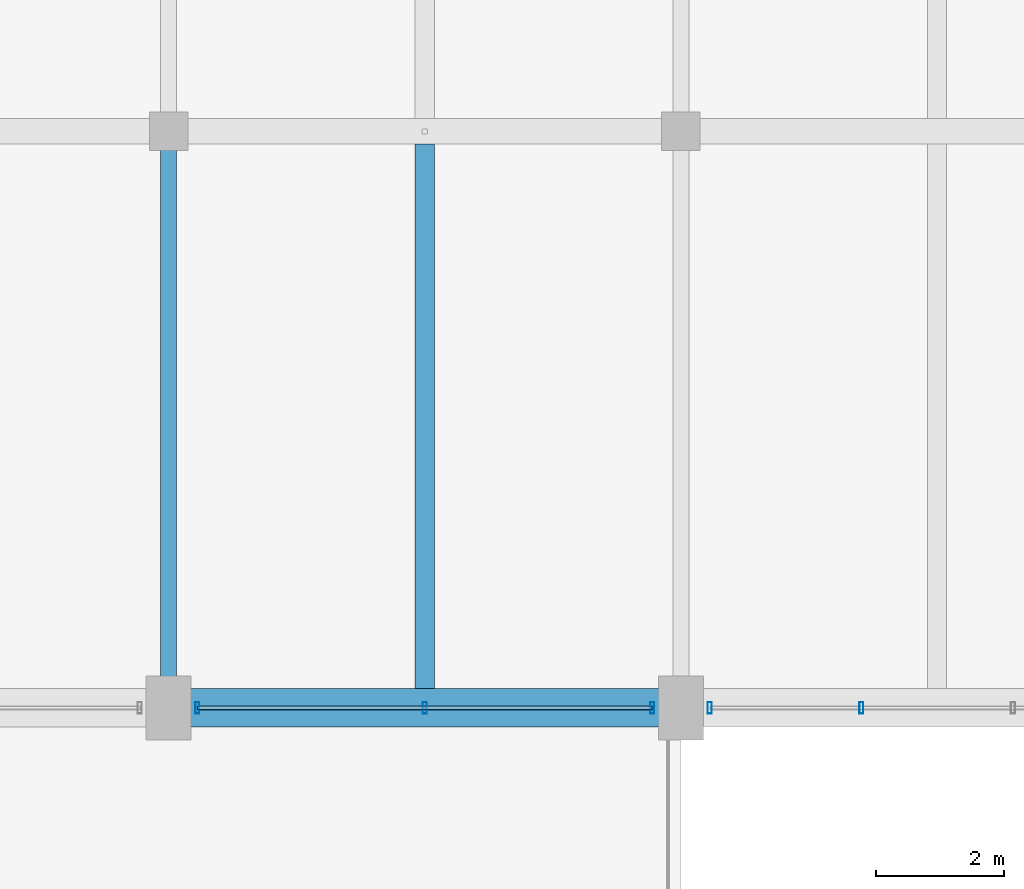
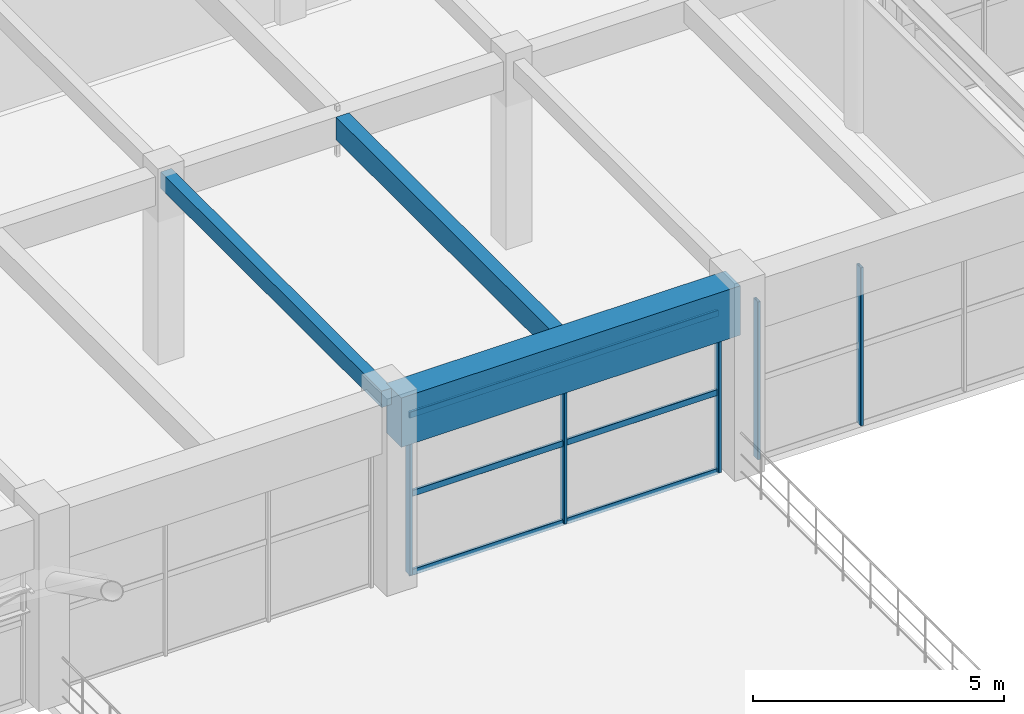
# One storey, part 41 of 144: 8 members, 3 beams, 2 elements without a shape of their own.
"""IFC4 building model written with IfcOpenShell, lengths in metres."""

from ifc_helpers import new_model, si_unit, direction, frame, origin, origin_2d, place, context, subcontext, project, spatial, rectangle, hollow_rectangle, extrude, material, material_profile, profile_set, type_object, element, aggregate, save


model = new_model("IFC4")

# Units and contexts
model_context = context("Model", 3, precision=1e-05, world=origin(), true_north=direction((0.0, 1.0)))
body_context = subcontext(model_context, "Body", "Model", "MODEL_VIEW")
ifc_project = project(units=[si_unit("LENGTHUNIT", "METRE"), si_unit("AREAUNIT", "SQUARE_METRE"), si_unit("VOLUMEUNIT", "CUBIC_METRE"), si_unit("PLANEANGLEUNIT", "RADIAN"), si_unit("MASSUNIT", "GRAM", prefix="KILO")], contexts=[model_context])

# Site, building, storey
site_placement = place(None, origin())
site = spatial("IfcSite", under=ifc_project, at=site_placement, CompositionType="ELEMENT")
building_placement = place(site_placement, origin())
building = spatial("IfcBuilding", under=site, at=building_placement, Name="Varnabhumi Central Station", CompositionType="ELEMENT")
storey_placement = place(building_placement, frame((0.0, 0.0, 4.800048828125)))
storey = spatial("IfcBuildingStorey", under=building, at=storey_placement, Name="L01", CompositionType="ELEMENT", Elevation=4.800048828125)

# Beams
ifc_material_1 = material(Name="Concrete M50", Category="concrete")
ifc_material_profile_1 = material_profile(ifc_material_1, rectangle(XDim=0.60009765625, YDim=1.199951171875, at=origin_2d()), Name="Concrete M50", Category="concrete")
ifc_profile_set_1 = profile_set([ifc_material_profile_1], Name="Concrete M50")
beam_type_1 = type_object("IfcBeamType", Name="BM-RC-1200x600", PredefinedType="BEAM", material=ifc_profile_set_1)
beam_1_placement = place(storey_placement, frame((32.10009765625, 80.0, 3.949951171875), z_axis=(1.0, 0.0, 0.0), x_axis=(0.0, 1.0, 0.0)))
element("IfcBeam", 1, at=beam_1_placement, inside=storey, type_object=beam_type_1, Name="Beam L01-K:5-6", PredefinedType="BEAM", context=body_context, shape_type="SweptSolid", body=[
    extrude(rectangle(XDim=0.60009765625, YDim=1.199951171875, at=origin_2d()), origin(), (0.0, 0.0, 1.0), 7.7998046875),
])
ifc_material_2 = material(Name="Concrete M35", Category="concrete")
ifc_material_profile_2 = material_profile(ifc_material_2, rectangle(XDim=0.25, YDim=0.39990234375, at=origin_2d()), Name="Concrete M35", Category="concrete")
ifc_profile_set_2 = profile_set([ifc_material_profile_2], Name="Concrete M35")
beam_type_2 = type_object("IfcBeamType", Name="BM-RC-250x400", PredefinedType="LINTEL", material=ifc_profile_set_2)
beam_2_placement = place(storey_placement, frame((32.0, 80.10009765625, 4.349853515625), z_axis=(0.0, 1.0, 0.0), x_axis=(-1.0, 0.0, 0.0)))
element("IfcBeam", 2, at=beam_2_placement, inside=storey, type_object=beam_type_2, Name="Beam L01-5:K-L", PredefinedType="LINTEL", context=body_context, shape_type="SweptSolid", body=[
    extrude(rectangle(XDim=0.25, YDim=0.39990234375, at=origin_2d()), origin(), (0.0, 0.0, 1.0), 8.7998046875),
])
ifc_material_3 = material(Name="Concrete M40", Category="concrete")
ifc_material_profile_3 = material_profile(ifc_material_3, rectangle(XDim=0.300048828125, YDim=0.550048828125, at=origin_2d()), Name="Concrete M40", Category="concrete")
ifc_profile_set_3 = profile_set([ifc_material_profile_3], Name="Concrete M40")
beam_type_3 = type_object("IfcBeamType", Name="BM-RC-300x550", PredefinedType="JOIST", material=ifc_profile_set_3)
beam_3_placement = place(storey_placement, frame((36.0, 80.300048828125, 4.27490234375), z_axis=(0.0, 1.0, 0.0), x_axis=(-1.0, 0.0, 0.0)))
element("IfcBeam", 3, at=beam_3_placement, inside=storey, type_object=beam_type_3, Name="Secondary Joist L01-5/6:K-L", PredefinedType="JOIST", context=body_context, shape_type="SweptSolid", body=[
    extrude(rectangle(XDim=0.300048828125, YDim=0.550048828125, at=origin_2d()), origin(), (0.0, 0.0, 1.0), 8.5),
])

# Curtain wall, members
ifc_material_4 = material(Name="Anodised aluminium 6063-T6", Category="aluminium")
curtain_wall_type_1 = type_object("IfcCurtainWallType", Name="CW-SPINE-SCREEN-L0", PredefinedType="NOTDEFINED", material=ifc_material_4)
curtain_wall_1_placement = place(storey_placement, origin())
curtain_wall_1 = element("IfcCurtainWall", 4, at=curtain_wall_1_placement, inside=storey, type_object=curtain_wall_type_1, Name="Curtain Wall CW-NS104", PredefinedType="NOTDEFINED")
ifc_material_profile_4 = material_profile(ifc_material_4, hollow_rectangle(XDim=0.06494140625, YDim=0.179931640625, WallThickness=0.00390625, InnerFilletRadius=0.001953125, OuterFilletRadius=0.006103515625, at=origin_2d()), Name="Anodised aluminium 6063-T6", Category="aluminium")
ifc_profile_set_4 = profile_set([ifc_material_profile_4], Name="Anodised aluminium 6063-T6")
member_type_1 = type_object("IfcMemberType", Name="CW-MUL-180", PredefinedType="MULLION", material=ifc_profile_set_4)
member_1_placement = place(storey_placement, frame((32.449951171875, 80.0, 0.0), z_axis=(0.0, 0.0, 1.0), x_axis=(1.0, 0.0, 0.0)))
member_1 = element("IfcMember", 5, at=member_1_placement, type_object=member_type_1, Name="Curtain Wall Mullion CW-NS104-M1", PredefinedType="MULLION", context=body_context, shape_type="SweptSolid", body=[
    extrude(hollow_rectangle(XDim=0.06494140625, YDim=0.179931640625, WallThickness=0.00390625, InnerFilletRadius=0.001953125, OuterFilletRadius=0.006103515625, at=origin_2d()), origin(), (0.0, 0.0, 1.0), 3.83984375),
])
member_2_placement = place(storey_placement, frame((36.0, 80.0, 0.0), z_axis=(0.0, 0.0, 1.0), x_axis=(1.0, 0.0, 0.0)))
member_2 = element("IfcMember", 6, at=member_2_placement, type_object=member_type_1, Name="Curtain Wall Mullion CW-NS104-M2", PredefinedType="MULLION", context=body_context, shape_type="SweptSolid", body=[
    extrude(hollow_rectangle(XDim=0.06494140625, YDim=0.179931640625, WallThickness=0.00390625, InnerFilletRadius=0.001953125, OuterFilletRadius=0.006103515625, at=origin_2d()), origin(), (0.0, 0.0, 1.0), 3.83984375),
])
member_3_placement = place(storey_placement, frame((39.550048828125, 80.0, 0.0), z_axis=(0.0, 0.0, 1.0), x_axis=(1.0, 0.0, 0.0)))
member_3 = element("IfcMember", 7, at=member_3_placement, type_object=member_type_1, Name="Curtain Wall Mullion CW-NS104-M3", PredefinedType="MULLION", context=body_context, shape_type="SweptSolid", body=[
    extrude(hollow_rectangle(XDim=0.06494140625, YDim=0.179931640625, WallThickness=0.00390625, InnerFilletRadius=0.001953125, OuterFilletRadius=0.006103515625, at=origin_2d()), origin(), (0.0, 0.0, 1.0), 3.83984375),
])

curtain_wall_type_2 = type_object("IfcCurtainWallType", Name="CW-STREET-PORTAL", PredefinedType="NOTDEFINED", material=ifc_material_4)
curtain_wall_2_placement = place(storey_placement, origin())
curtain_wall_2 = element("IfcCurtainWall", 8, at=curtain_wall_2_placement, inside=storey, type_object=curtain_wall_type_2, Name="Curtain Wall CW-NSP105", PredefinedType="NOTDEFINED")
member_4_placement = place(storey_placement, frame((40.449951171875, 80.0, 0.0), z_axis=(0.0, 0.0, 1.0), x_axis=(1.0, 0.0, 0.0)))
member_4 = element("IfcMember", 9, at=member_4_placement, type_object=member_type_1, Name="Curtain Wall Mullion CW-NSP105-M1", PredefinedType="MULLION", context=body_context, shape_type="SweptSolid", body=[
    extrude(hollow_rectangle(XDim=0.06494140625, YDim=0.179931640625, WallThickness=0.00390625, InnerFilletRadius=0.001953125, OuterFilletRadius=0.006103515625, at=origin_2d()), origin(), (0.0, 0.0, 1.0), 3.83984375),
])
member_5_placement = place(storey_placement, frame((42.816650390625, 80.0, 0.0), z_axis=(0.0, 0.0, 1.0), x_axis=(1.0, 0.0, 0.0)))
member_5 = element("IfcMember", 10, at=member_5_placement, type_object=member_type_1, Name="Curtain Wall Mullion CW-NSP105-M2", PredefinedType="MULLION", context=body_context, shape_type="SweptSolid", body=[
    extrude(hollow_rectangle(XDim=0.06494140625, YDim=0.179931640625, WallThickness=0.00390625, InnerFilletRadius=0.001953125, OuterFilletRadius=0.006103515625, at=origin_2d()), origin(), (0.0, 0.0, 1.0), 3.83984375),
])
aggregate(curtain_wall_2, [member_4, member_5])

# Member
ifc_material_profile_5 = material_profile(ifc_material_4, hollow_rectangle(XDim=0.06005859375, YDim=0.14990234375, WallThickness=0.00390625, InnerFilletRadius=0.001953125, OuterFilletRadius=0.006103515625, at=origin_2d()), Name="Anodised aluminium 6063-T6", Category="aluminium")
ifc_profile_set_5 = profile_set([ifc_material_profile_5], Name="Anodised aluminium 6063-T6")
member_type_2 = type_object("IfcMemberType", Name="CW-TR-150", PredefinedType="USERDEFINED", material=ifc_profile_set_5)
member_6_placement = place(storey_placement, frame((32.449951171875, 80.0, 0.0), z_axis=(1.0, 0.0, 0.0), x_axis=(0.0, 1.0, 0.0)))
member_6 = element("IfcMember", 11, at=member_6_placement, type_object=member_type_2, Name="Curtain Wall Transom CW-NS104-T1", ObjectType="TRANSOM", PredefinedType="USERDEFINED", context=body_context, shape_type="SweptSolid", body=[
    extrude(hollow_rectangle(XDim=0.06005859375, YDim=0.14990234375, WallThickness=0.00390625, InnerFilletRadius=0.001953125, OuterFilletRadius=0.006103515625, at=origin_2d()), origin(), (0.0, 0.0, 1.0), 7.10009765625),
])

member_7_placement = place(storey_placement, frame((32.449951171875, 80.0, 1.919921875), z_axis=(1.0, 0.0, 0.0), x_axis=(0.0, 1.0, 0.0)))
member_7 = element("IfcMember", 12, at=member_7_placement, type_object=member_type_2, Name="Curtain Wall Transom CW-NS104-T2", ObjectType="TRANSOM", PredefinedType="USERDEFINED", context=body_context, shape_type="SweptSolid", body=[
    extrude(hollow_rectangle(XDim=0.06005859375, YDim=0.14990234375, WallThickness=0.00390625, InnerFilletRadius=0.001953125, OuterFilletRadius=0.006103515625, at=origin_2d()), origin(), (0.0, 0.0, 1.0), 7.10009765625),
])

member_8_placement = place(storey_placement, frame((32.449951171875, 80.0, 3.83984375), z_axis=(1.0, 0.0, 0.0), x_axis=(0.0, 1.0, 0.0)))
member_8 = element("IfcMember", 13, at=member_8_placement, type_object=member_type_2, Name="Curtain Wall Transom CW-NS104-T3", ObjectType="TRANSOM", PredefinedType="USERDEFINED", context=body_context, shape_type="SweptSolid", body=[
    extrude(hollow_rectangle(XDim=0.06005859375, YDim=0.14990234375, WallThickness=0.00390625, InnerFilletRadius=0.001953125, OuterFilletRadius=0.006103515625, at=origin_2d()), origin(), (0.0, 0.0, 1.0), 7.10009765625),
])

aggregate(curtain_wall_1, [member_1, member_2, member_3, member_6, member_7, member_8])

save(model, "model.ifc")
